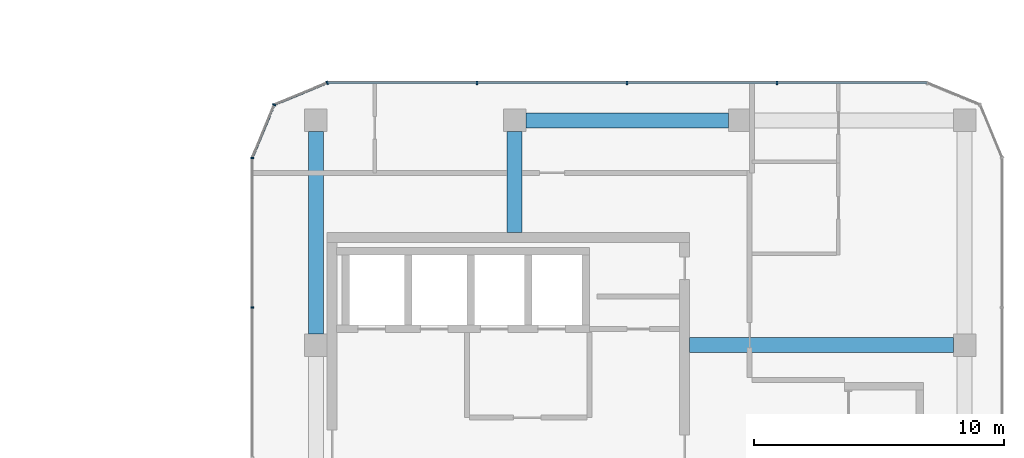
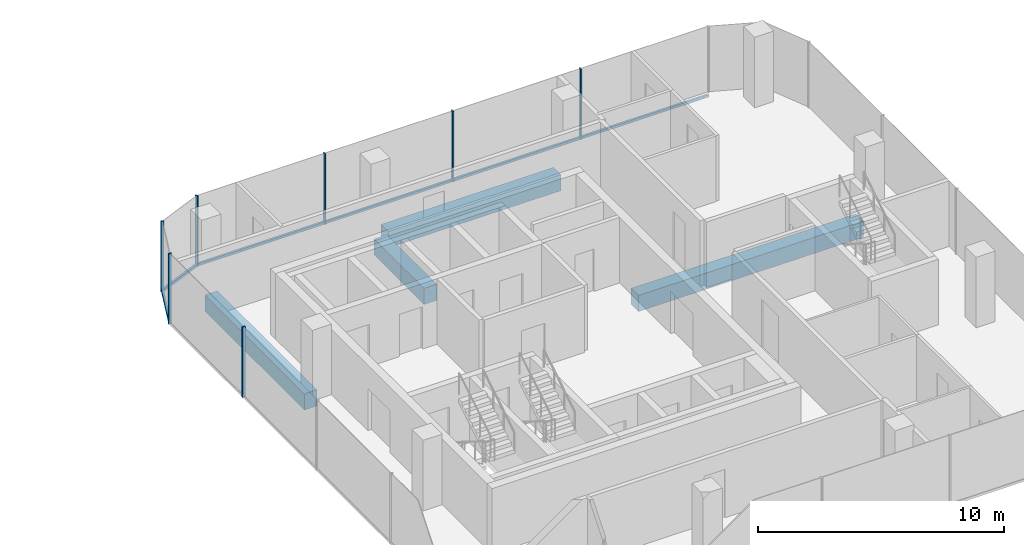
# One storey, part 9 of 22: 10 members, 4 beams, 4 elements without a shape of their own.
"""IFC4 building model written with IfcOpenShell, lengths in metres."""

from ifc_helpers import new_model, si_unit, direction, frame, origin, origin_2d, place, context, subcontext, project, spatial, rectangle, extrude, material, layer, layer_set, material_profile, profile_set, type_object, element, aggregate, save


model = new_model("IFC4")

# Units and contexts
model_context = context("Model", 3, precision=1e-05, world=origin(), true_north=direction((0.0, 1.0)))
body_context = subcontext(model_context, "Body", "Model", "MODEL_VIEW")
ifc_project = project(units=[si_unit("LENGTHUNIT", "METRE"), si_unit("AREAUNIT", "SQUARE_METRE"), si_unit("VOLUMEUNIT", "CUBIC_METRE"), si_unit("PLANEANGLEUNIT", "RADIAN"), si_unit("MASSUNIT", "GRAM", prefix="KILO")], contexts=[model_context])

# Site, building, storey
site_placement = place(None, origin())
site = spatial("IfcSite", under=ifc_project, at=site_placement, CompositionType="ELEMENT")
building_placement = place(site_placement, origin())
building = spatial("IfcBuilding", under=site, at=building_placement, Name="Plateau Cross Towers", CompositionType="ELEMENT")
storey_placement = place(building_placement, frame((0.0, 0.0, 102.800048828125)))
storey = spatial("IfcBuildingStorey", under=building, at=storey_placement, Name="L26", CompositionType="ELEMENT", Elevation=102.800048828125)

# Beams
ifc_material_1 = material(Name="Concrete C60/75", Category="concrete")
ifc_material_profile_1 = material_profile(ifc_material_1, rectangle(XDim=0.60009765625, YDim=0.800048828125, at=origin_2d()), Name="RC 600x800")
ifc_profile_set_1 = profile_set([ifc_material_profile_1], Name="Concrete C60/75")
beam_type_1 = type_object("IfcBeamType", Name="Core beam RC 600x800", PredefinedType="BEAM", material=ifc_profile_set_1)
beam_1_placement = place(storey_placement, frame((89.5, 13.5, -0.650146484375), z_axis=(1.0, 0.0, 0.0), x_axis=(0.0, 1.0, 0.0)))
element("IfcBeam", 1, at=beam_1_placement, inside=storey, type_object=beam_type_1, Name="B-CB03@L26", PredefinedType="BEAM", context=body_context, shape_type="SweptSolid", body=[
    extrude(rectangle(XDim=0.60009765625, YDim=0.800048828125, at=origin_2d()), origin(), (0.0, 0.0, 1.0), 10.550048828125),
])
beam_2_placement = place(storey_placement, frame((82.5, 18.0, -0.650146484375), z_axis=(0.0, 1.0, 0.0), x_axis=(-1.0, 0.0, 0.0)))
element("IfcBeam", 2, at=beam_2_placement, inside=storey, type_object=beam_type_1, Name="B-CB04@L26", PredefinedType="BEAM", context=body_context, shape_type="SweptSolid", body=[
    extrude(rectangle(XDim=0.60009765625, YDim=0.800048828125, at=origin_2d()), origin(), (0.0, 0.0, 1.0), 4.050048828125),
])

# Curtain wall, members
ifc_material_2 = material(Name="Dark low-iron glass", Category="glass")
ifc_layer = layer(ifc_material_2, 0.239990234375)
ifc_layer_set = layer_set([ifc_layer], Name="Dark low-iron glass")
curtain_wall_type = type_object("IfcCurtainWallType", Name="Curtain wall office unitised CW-F", PredefinedType="NOTDEFINED", material=ifc_layer_set)
curtain_wall_1_placement = place(storey_placement, origin())
curtain_wall_1 = element("IfcCurtainWall", 3, at=curtain_wall_1_placement, inside=storey, type_object=curtain_wall_type, Name="ENV/B/L26/B990_240", PredefinedType="NOTDEFINED")
ifc_material_3 = material(Name="Black anodised aluminium", Category="aluminium")
ifc_material_profile_2 = material_profile(ifc_material_3, rectangle(XDim=0.06005859375, YDim=0.139892578125, at=origin_2d()), Name="MULLION 60x140")
ifc_profile_set_2 = profile_set([ifc_material_profile_2], Name="Black anodised aluminium")
member_type_1 = type_object("IfcMemberType", Name="Mullion 60x140 office unitised", PredefinedType="MULLION", material=ifc_profile_set_2)
member_1_placement = place(storey_placement, frame((93.0, 24.0, -0.25), z_axis=(0.0, 0.0, 1.0), x_axis=(-1.0, 0.0, 0.0)))
member_1 = element("IfcMember", 4, at=member_1_placement, type_object=member_type_1, Name="CW-F mullion 2", PredefinedType="MULLION", context=body_context, shape_type="SweptSolid", body=[
    extrude(rectangle(XDim=0.06005859375, YDim=0.139892578125, at=origin_2d()), origin(), (0.0, 0.0, 1.0), 3.5),
])
member_2_placement = place(storey_placement, frame((87.0, 24.0, -0.25), z_axis=(0.0, 0.0, 1.0), x_axis=(-1.0, 0.0, 0.0)))
member_2 = element("IfcMember", 5, at=member_2_placement, type_object=member_type_1, Name="CW-F mullion 3", PredefinedType="MULLION", context=body_context, shape_type="SweptSolid", body=[
    extrude(rectangle(XDim=0.06005859375, YDim=0.139892578125, at=origin_2d()), origin(), (0.0, 0.0, 1.0), 3.5),
])
member_3_placement = place(storey_placement, frame((81.0, 24.0, -0.25), z_axis=(0.0, 0.0, 1.0), x_axis=(-1.0, 0.0, 0.0)))
member_3 = element("IfcMember", 6, at=member_3_placement, type_object=member_type_1, Name="CW-F mullion 4", PredefinedType="MULLION", context=body_context, shape_type="SweptSolid", body=[
    extrude(rectangle(XDim=0.06005859375, YDim=0.139892578125, at=origin_2d()), origin(), (0.0, 0.0, 1.0), 3.5),
])

# Curtain wall, member
curtain_wall_2_placement = place(storey_placement, origin())
curtain_wall_2 = element("IfcCurtainWall", 7, at=curtain_wall_2_placement, inside=storey, type_object=curtain_wall_type, Name="ENV/B/L26/B750_240", PredefinedType="NOTDEFINED")
member_4_placement = place(storey_placement, frame((75.0, 24.0, -0.25), z_axis=(0.0, 0.0, 1.0), x_axis=(-0.923879457699, -0.382683612978, 0.0)))
member_4 = element("IfcMember", 8, at=member_4_placement, type_object=member_type_1, Name="CW-F mullion 1", PredefinedType="MULLION", context=body_context, shape_type="SweptSolid", body=[
    extrude(rectangle(XDim=0.06005859375, YDim=0.139892578125, at=origin_2d()), origin(), (0.0, 0.0, 1.0), 3.5),
])

curtain_wall_3_placement = place(storey_placement, origin())
curtain_wall_3 = element("IfcCurtainWall", 9, at=curtain_wall_3_placement, inside=storey, type_object=curtain_wall_type, Name="ENV/B/L26/B729_231", PredefinedType="NOTDEFINED")
member_5_placement = place(storey_placement, frame((72.878662109375, 23.121337890625, -0.25), z_axis=(0.0, 0.0, 1.0), x_axis=(-0.382683612978, -0.923879457699, 0.0)))
member_5 = element("IfcMember", 10, at=member_5_placement, type_object=member_type_1, Name="CW-F mullion 1", PredefinedType="MULLION", context=body_context, shape_type="SweptSolid", body=[
    extrude(rectangle(XDim=0.06005859375, YDim=0.139892578125, at=origin_2d()), origin(), (0.0, 0.0, 1.0), 3.5),
])

# Curtain wall, members
curtain_wall_4_placement = place(storey_placement, origin())
curtain_wall_4 = element("IfcCurtainWall", 11, at=curtain_wall_4_placement, inside=storey, type_object=curtain_wall_type, Name="ENV/B/L26/B720_210", PredefinedType="NOTDEFINED")
member_6_placement = place(storey_placement, frame((72.0, 21.0, -0.25), z_axis=(0.0, 0.0, 1.0), x_axis=(0.0, -1.0, 0.0)))
member_6 = element("IfcMember", 12, at=member_6_placement, type_object=member_type_1, Name="CW-F mullion 1", PredefinedType="MULLION", context=body_context, shape_type="SweptSolid", body=[
    extrude(rectangle(XDim=0.06005859375, YDim=0.139892578125, at=origin_2d()), origin(), (0.0, 0.0, 1.0), 3.5),
])
member_7_placement = place(storey_placement, frame((72.0, 15.0, -0.25), z_axis=(0.0, 0.0, 1.0), x_axis=(0.0, -1.0, 0.0)))
member_7 = element("IfcMember", 13, at=member_7_placement, type_object=member_type_1, Name="CW-F mullion 2", PredefinedType="MULLION", context=body_context, shape_type="SweptSolid", body=[
    extrude(rectangle(XDim=0.06005859375, YDim=0.139892578125, at=origin_2d()), origin(), (0.0, 0.0, 1.0), 3.5),
])
aggregate(curtain_wall_4, [member_6, member_7])

# Beams
ifc_material_profile_3 = material_profile(ifc_material_1, rectangle(XDim=0.60009765625, YDim=0.800048828125, at=origin_2d()), Name="RC 600x800")
ifc_profile_set_3 = profile_set([ifc_material_profile_3], Name="Concrete C60/75")
beam_type_2 = type_object("IfcBeamType", Name="Ring beam RC 600x800", PredefinedType="BEAM", material=ifc_profile_set_3)
for number, where, z_axis, x_axis, name in (
    (14, (91.050048828125, 22.5, -0.650146484375), (-1.0, 0.0, 0.0), (0.0, -1.0, 0.0), "B-RB07@L26"),
    (15, (74.550048828125, 22.050048828125, -0.650146484375), (0.0, -1.0, 0.0), (1.0, 0.0, 0.0), "B-RB08@L26"),
):
    element("IfcBeam", number, at=place(storey_placement, frame(where, z_axis=z_axis, x_axis=x_axis)), inside=storey, type_object=beam_type_2, Name=name, PredefinedType="BEAM", context=body_context, shape_type="SweptSolid", body=[
        extrude(rectangle(XDim=0.60009765625, YDim=0.800048828125, at=origin_2d()), origin(), (0.0, 0.0, 1.0), 8.10009765625),
    ])

# Member
ifc_material_profile_4 = material_profile(ifc_material_3, rectangle(XDim=0.10009765625, YDim=0.1201171875, at=origin_2d()), Name="TRANSOM 100x120")
ifc_profile_set_4 = profile_set([ifc_material_profile_4], Name="Black anodised aluminium")
member_type_2 = type_object("IfcMemberType", Name="Transom 100x120 office unitised", PredefinedType="USERDEFINED", material=ifc_profile_set_4)
member_8_placement = place(storey_placement, frame((99.0, 24.0, -0.18994140625), z_axis=(-1.0, 0.0, 0.0), x_axis=(0.0, -1.0, 0.0)))
member_8 = element("IfcMember", 16, at=member_8_placement, type_object=member_type_2, Name="CW-F transom", ObjectType="TRANSOM", PredefinedType="USERDEFINED", context=body_context, shape_type="SweptSolid", body=[
    extrude(rectangle(XDim=0.10009765625, YDim=0.1201171875, at=origin_2d()), origin(), (0.0, 0.0, 1.0), 24.0),
])

aggregate(curtain_wall_1, [member_1, member_2, member_3, member_8])

member_9_placement = place(storey_placement, frame((75.0, 24.0, -0.18994140625), z_axis=(-0.923883353507, -0.382674207535, 0.0), x_axis=(0.382674207535, -0.923883353507, 0.0)))
member_9 = element("IfcMember", 17, at=member_9_placement, type_object=member_type_2, Name="CW-F transom", ObjectType="TRANSOM", PredefinedType="USERDEFINED", context=body_context, shape_type="SweptSolid", body=[
    extrude(rectangle(XDim=0.10009765625, YDim=0.1201171875, at=origin_2d()), origin(), (0.0, 0.0, 1.0), 2.296142578125),
])

aggregate(curtain_wall_2, [member_4, member_9])

member_10_placement = place(storey_placement, frame((72.878662109375, 23.121337890625, -0.18994140625), z_axis=(-0.382674207535, -0.923883353507, 0.0), x_axis=(0.923883353507, -0.382674207535, 0.0)))
member_10 = element("IfcMember", 18, at=member_10_placement, type_object=member_type_2, Name="CW-F transom", ObjectType="TRANSOM", PredefinedType="USERDEFINED", context=body_context, shape_type="SweptSolid", body=[
    extrude(rectangle(XDim=0.10009765625, YDim=0.1201171875, at=origin_2d()), origin(), (0.0, 0.0, 1.0), 2.296142578125),
])

aggregate(curtain_wall_3, [member_5, member_10])

save(model, "model.ifc")
